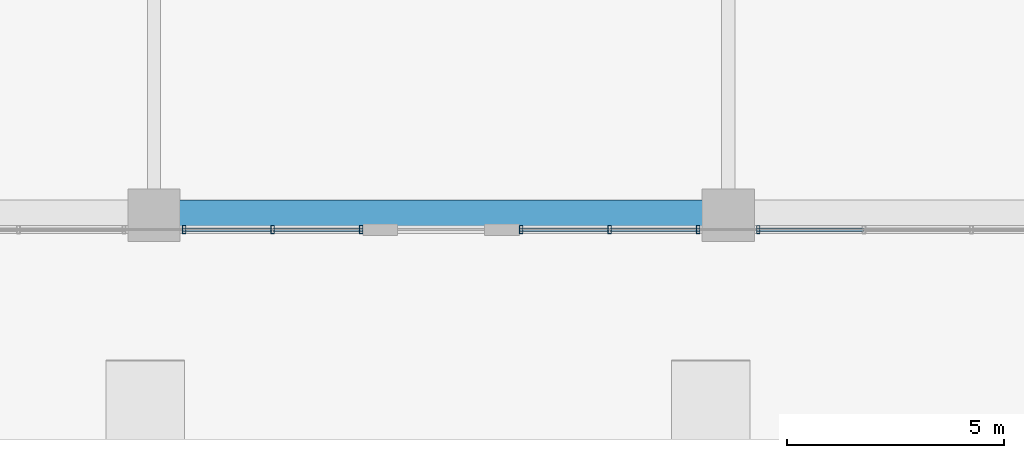
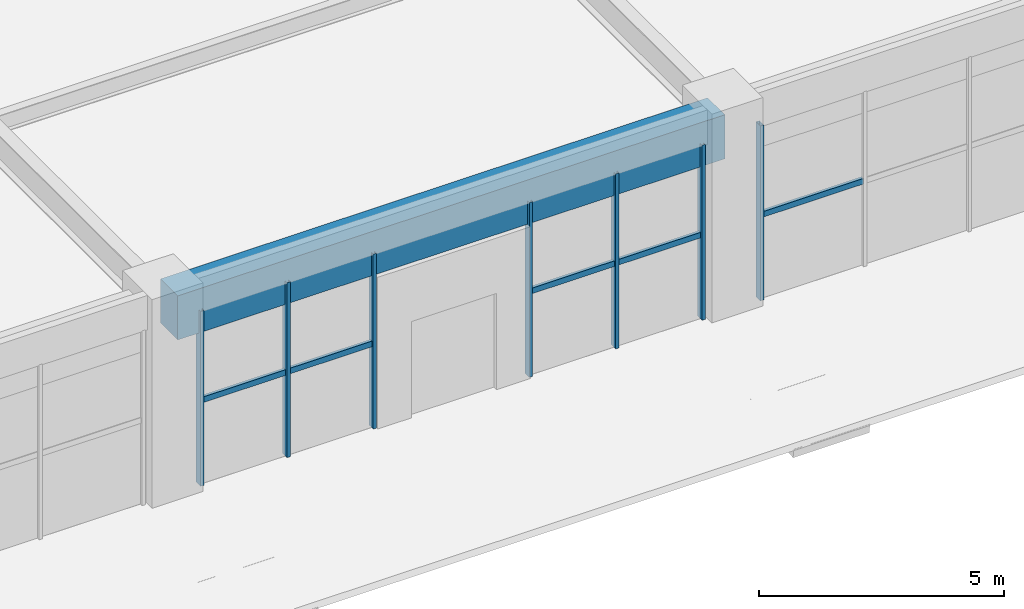
# One storey, part 10 of 40: 12 members, 1 beam, 3 elements without a shape of their own.
"""IFC4 building model written with IfcOpenShell, lengths in metres."""

from ifc_helpers import new_model, si_unit, direction, frame, origin, origin_2d, place, context, subcontext, project, spatial, rectangle, hollow_rectangle, extrude, source, transform, mapped, material, material_profile, profile_set, type_object, element, aggregate, save


model = new_model("IFC4")

# Units and contexts
model_context = context("Model", 3, precision=1e-05, world=origin(), true_north=direction((0.0, 1.0)))
body_context = subcontext(model_context, "Body", "Model", "MODEL_VIEW")
ifc_project = project(units=[si_unit("LENGTHUNIT", "METRE"), si_unit("AREAUNIT", "SQUARE_METRE"), si_unit("VOLUMEUNIT", "CUBIC_METRE"), si_unit("PLANEANGLEUNIT", "RADIAN"), si_unit("MASSUNIT", "GRAM", prefix="KILO")], contexts=[model_context])

# Site, building, storey
site_placement = place(None, origin())
site = spatial("IfcSite", under=ifc_project, at=site_placement, CompositionType="ELEMENT")
building_placement = place(site_placement, origin())
building = spatial("IfcBuilding", under=site, at=building_placement, Name="Trelvane Seafront Commons", CompositionType="ELEMENT")
storey_placement = place(building_placement, origin())
storey = spatial("IfcBuildingStorey", under=building, at=storey_placement, Name="L00", CompositionType="ELEMENT", Elevation=0.0)

# Beam
ifc_material_1 = material(Name="Concrete C50/60", Category="concrete")
ifc_material_profile_1 = material_profile(ifc_material_1, rectangle(XDim=0.699951171875, YDim=1.10009765625, at=origin_2d()), Name="RC-700x1100")
ifc_profile_set_1 = profile_set([ifc_material_profile_1], Name="Concrete C50/60")
beam_type = type_object("IfcBeamType", Name="STR-TBM-RC700x1100", PredefinedType="T_BEAM", material=ifc_profile_set_1)
shared_shape_1 = source(origin(), body_context, "Body", "SweptSolid", [
    extrude(rectangle(XDim=0.699951171875, YDim=1.10009765625, at=origin_2d()), origin(), (0.0, 0.0, 1.0), 12.89990234375),
])
beam_placement = place(storey_placement, frame((30.75, 3.949951171875, 4.330078125), z_axis=(1.0, 0.0, 0.0), x_axis=(0.0, 1.0, 0.0)))
element("IfcBeam", 1, at=beam_placement, inside=storey, type_object=beam_type, Name="L00 Primary Girder G-04", PredefinedType="T_BEAM", context=body_context, shape_type="MappedRepresentation", body=[
    mapped(shared_shape_1, transform((0.0, 0.0, 0.0), x_axis=(1.0, 0.0, 0.0), y_axis=(0.0, 1.0, 0.0), z_axis=(0.0, 0.0, 1.0), scale=1.0)),
])

# Curtain wall, member
ifc_material_2 = material(Name="Anodised pale-silver aluminium", Category="aluminium")
curtain_wall_type = type_object("IfcCurtainWallType", Name="ARCH-CW1-PODIUM", PredefinedType="NOTDEFINED", material=ifc_material_2)
curtain_wall_1_placement = place(storey_placement, origin())
curtain_wall_1 = element("IfcCurtainWall", 2, at=curtain_wall_1_placement, inside=storey, type_object=curtain_wall_type, Name="CW-L00-VPE-0001", PredefinedType="NOTDEFINED")
ifc_material_profile_2 = material_profile(ifc_material_2, hollow_rectangle(XDim=0.080078125, YDim=0.179931640625, WallThickness=0.00439453125, at=origin_2d()), Name="MULL-80x180x4.5")
ifc_profile_set_2 = profile_set([ifc_material_profile_2], Name="Anodised pale-silver aluminium")
member_type_1 = type_object("IfcMemberType", Name="ARCH-CW-MULL-180", PredefinedType="MULLION", material=ifc_profile_set_2)
shared_shape_2 = source(origin(), body_context, "Body", "SweptSolid", [
    extrude(hollow_rectangle(XDim=0.080078125, YDim=0.179931640625, WallThickness=0.00439453125, at=origin_2d()), origin(), (0.0, 0.0, 1.0), 4.360107421875),
])
member_1_placement = place(storey_placement, frame((44.489990234375, 3.6201171875, 0.0), z_axis=(0.0, 0.0, 1.0), x_axis=(1.0, 0.0, 0.0)))
member_1 = element("IfcMember", 3, at=member_1_placement, type_object=member_type_1, Name="CW-L00-VPE-0001-M05", PredefinedType="MULLION", context=body_context, shape_type="MappedRepresentation", body=[
    mapped(shared_shape_2, transform((0.0, 0.0, 0.0), x_axis=(1.0, 0.0, 0.0), y_axis=(0.0, 1.0, 0.0), z_axis=(0.0, 0.0, 1.0), scale=1.0)),
])

# Curtain wall, members
curtain_wall_2_placement = place(storey_placement, origin())
curtain_wall_2 = element("IfcCurtainWall", 4, at=curtain_wall_2_placement, inside=storey, type_object=curtain_wall_type, Name="CW-L00-VPE-0002", PredefinedType="NOTDEFINED")
member_2_placement = place(storey_placement, frame((43.110107421875, 3.6201171875, 0.0), z_axis=(0.0, 0.0, 1.0), x_axis=(1.0, 0.0, 0.0)))
member_2 = element("IfcMember", 5, at=member_2_placement, type_object=member_type_1, Name="CW-L00-VPE-0002-M00", PredefinedType="MULLION", context=body_context, shape_type="MappedRepresentation", body=[
    mapped(shared_shape_2, transform((0.0, 0.0, 0.0), x_axis=(1.0, 0.0, 0.0), y_axis=(0.0, 1.0, 0.0), z_axis=(0.0, 0.0, 1.0), scale=1.0)),
])
member_3_placement = place(storey_placement, frame((41.074951171875, 3.6201171875, 0.0), z_axis=(0.0, 0.0, 1.0), x_axis=(1.0, 0.0, 0.0)))
member_3 = element("IfcMember", 6, at=member_3_placement, type_object=member_type_1, Name="CW-L00-VPE-0002-M01", PredefinedType="MULLION", context=body_context, shape_type="MappedRepresentation", body=[
    mapped(shared_shape_2, transform((0.0, 0.0, 0.0), x_axis=(1.0, 0.0, 0.0), y_axis=(0.0, 1.0, 0.0), z_axis=(0.0, 0.0, 1.0), scale=1.0)),
])
member_4_placement = place(storey_placement, frame((39.0400390625, 3.6201171875, 0.0), z_axis=(0.0, 0.0, 1.0), x_axis=(1.0, 0.0, 0.0)))
member_4 = element("IfcMember", 7, at=member_4_placement, type_object=member_type_1, Name="CW-L00-VPE-0002-M02", PredefinedType="MULLION", context=body_context, shape_type="MappedRepresentation", body=[
    mapped(shared_shape_2, transform((0.0, 0.0, 0.0), x_axis=(1.0, 0.0, 0.0), y_axis=(0.0, 1.0, 0.0), z_axis=(0.0, 0.0, 1.0), scale=1.0)),
])

curtain_wall_3_placement = place(storey_placement, origin())
curtain_wall_3 = element("IfcCurtainWall", 8, at=curtain_wall_3_placement, inside=storey, type_object=curtain_wall_type, Name="CW-L00-VPW-0003", PredefinedType="NOTDEFINED")
member_5_placement = place(storey_placement, frame((35.360107421875, 3.6201171875, 0.0), z_axis=(0.0, 0.0, 1.0), x_axis=(1.0, 0.0, 0.0)))
member_5 = element("IfcMember", 9, at=member_5_placement, type_object=member_type_1, Name="CW-L00-VPW-0003-M00", PredefinedType="MULLION", context=body_context, shape_type="MappedRepresentation", body=[
    mapped(shared_shape_2, transform((0.0, 0.0, 0.0), x_axis=(1.0, 0.0, 0.0), y_axis=(0.0, 1.0, 0.0), z_axis=(0.0, 0.0, 1.0), scale=1.0)),
])
member_6_placement = place(storey_placement, frame((33.324951171875, 3.6201171875, 0.0), z_axis=(0.0, 0.0, 1.0), x_axis=(1.0, 0.0, 0.0)))
member_6 = element("IfcMember", 10, at=member_6_placement, type_object=member_type_1, Name="CW-L00-VPW-0003-M01", PredefinedType="MULLION", context=body_context, shape_type="MappedRepresentation", body=[
    mapped(shared_shape_2, transform((0.0, 0.0, 0.0), x_axis=(1.0, 0.0, 0.0), y_axis=(0.0, 1.0, 0.0), z_axis=(0.0, 0.0, 1.0), scale=1.0)),
])
member_7_placement = place(storey_placement, frame((31.2900390625, 3.6201171875, 0.0), z_axis=(0.0, 0.0, 1.0), x_axis=(1.0, 0.0, 0.0)))
member_7 = element("IfcMember", 11, at=member_7_placement, type_object=member_type_1, Name="CW-L00-VPW-0003-M02", PredefinedType="MULLION", context=body_context, shape_type="MappedRepresentation", body=[
    mapped(shared_shape_2, transform((0.0, 0.0, 0.0), x_axis=(1.0, 0.0, 0.0), y_axis=(0.0, 1.0, 0.0), z_axis=(0.0, 0.0, 1.0), scale=1.0)),
])

# Member
ifc_material_profile_3 = material_profile(ifc_material_2, hollow_rectangle(XDim=0.074951171875, YDim=0.139892578125, WallThickness=0.00390625, at=origin_2d()), Name="TRAN-75x140x4")
ifc_profile_set_3 = profile_set([ifc_material_profile_3], Name="Anodised pale-silver aluminium")
member_type_2 = type_object("IfcMemberType", Name="ARCH-CW-TRAN-140", PredefinedType="USERDEFINED", material=ifc_profile_set_3)
shared_shape_3 = source(origin(), body_context, "Body", "SweptSolid", [
    extrude(hollow_rectangle(XDim=0.074951171875, YDim=0.139892578125, WallThickness=0.00390625, at=origin_2d()), origin(), (0.0, 0.0, 1.0), 2.446044921875),
])
member_8_placement = place(storey_placement, frame((46.907958984375, 3.6201171875, 2.093017578125), z_axis=(-1.0, 0.0, 0.0), x_axis=(0.0, -1.0, 0.0)))
member_8 = element("IfcMember", 12, at=member_8_placement, type_object=member_type_2, Name="CW-L00-VPE-0001-T04", ObjectType="TRANSOM", PredefinedType="USERDEFINED", context=body_context, shape_type="MappedRepresentation", body=[
    mapped(shared_shape_3, transform((0.0, 0.0, 0.0), x_axis=(1.0, 0.0, 0.0), y_axis=(0.0, 1.0, 0.0), z_axis=(0.0, 0.0, 1.0), scale=1.0)),
])

aggregate(curtain_wall_1, [member_1, member_8])

shared_shape_4 = source(origin(), body_context, "Body", "SweptSolid", [
    extrude(hollow_rectangle(XDim=0.074951171875, YDim=0.139892578125, WallThickness=0.00390625, at=origin_2d()), origin(), (0.0, 0.0, 1.0), 2.051025390625),
])
member_9_placement = place(storey_placement, frame((43.137939453125, 3.6201171875, 2.093017578125), z_axis=(-1.0, 0.0, 0.0), x_axis=(0.0, -1.0, 0.0)))
member_9 = element("IfcMember", 13, at=member_9_placement, type_object=member_type_2, Name="CW-L00-VPE-0002-T00", ObjectType="TRANSOM", PredefinedType="USERDEFINED", context=body_context, shape_type="MappedRepresentation", body=[
    mapped(shared_shape_4, transform((0.0, 0.0, 0.0), x_axis=(1.0, 0.0, 0.0), y_axis=(0.0, 1.0, 0.0), z_axis=(0.0, 0.0, 1.0), scale=1.0)),
])

member_10_placement = place(storey_placement, frame((41.06298828125, 3.6201171875, 2.093017578125), z_axis=(-1.0, 0.0, 0.0), x_axis=(0.0, -1.0, 0.0)))
member_10 = element("IfcMember", 14, at=member_10_placement, type_object=member_type_2, Name="CW-L00-VPE-0002-T01", ObjectType="TRANSOM", PredefinedType="USERDEFINED", context=body_context, shape_type="MappedRepresentation", body=[
    mapped(shared_shape_4, transform((0.0, 0.0, 0.0), x_axis=(1.0, 0.0, 0.0), y_axis=(0.0, 1.0, 0.0), z_axis=(0.0, 0.0, 1.0), scale=1.0)),
])

aggregate(curtain_wall_2, [member_2, member_3, member_4, member_9, member_10])

member_11_placement = place(storey_placement, frame((35.387939453125, 3.6201171875, 2.093017578125), z_axis=(-1.0, 0.0, 0.0), x_axis=(0.0, -1.0, 0.0)))
member_11 = element("IfcMember", 15, at=member_11_placement, type_object=member_type_2, Name="CW-L00-VPW-0003-T00", ObjectType="TRANSOM", PredefinedType="USERDEFINED", context=body_context, shape_type="MappedRepresentation", body=[
    mapped(shared_shape_4, transform((0.0, 0.0, 0.0), x_axis=(1.0, 0.0, 0.0), y_axis=(0.0, 1.0, 0.0), z_axis=(0.0, 0.0, 1.0), scale=1.0)),
])

member_12_placement = place(storey_placement, frame((33.31298828125, 3.6201171875, 2.093017578125), z_axis=(-1.0, 0.0, 0.0), x_axis=(0.0, -1.0, 0.0)))
member_12 = element("IfcMember", 16, at=member_12_placement, type_object=member_type_2, Name="CW-L00-VPW-0003-T01", ObjectType="TRANSOM", PredefinedType="USERDEFINED", context=body_context, shape_type="MappedRepresentation", body=[
    mapped(shared_shape_4, transform((0.0, 0.0, 0.0), x_axis=(1.0, 0.0, 0.0), y_axis=(0.0, 1.0, 0.0), z_axis=(0.0, 0.0, 1.0), scale=1.0)),
])

aggregate(curtain_wall_3, [member_5, member_6, member_7, member_11, member_12])

save(model, "model.ifc")
